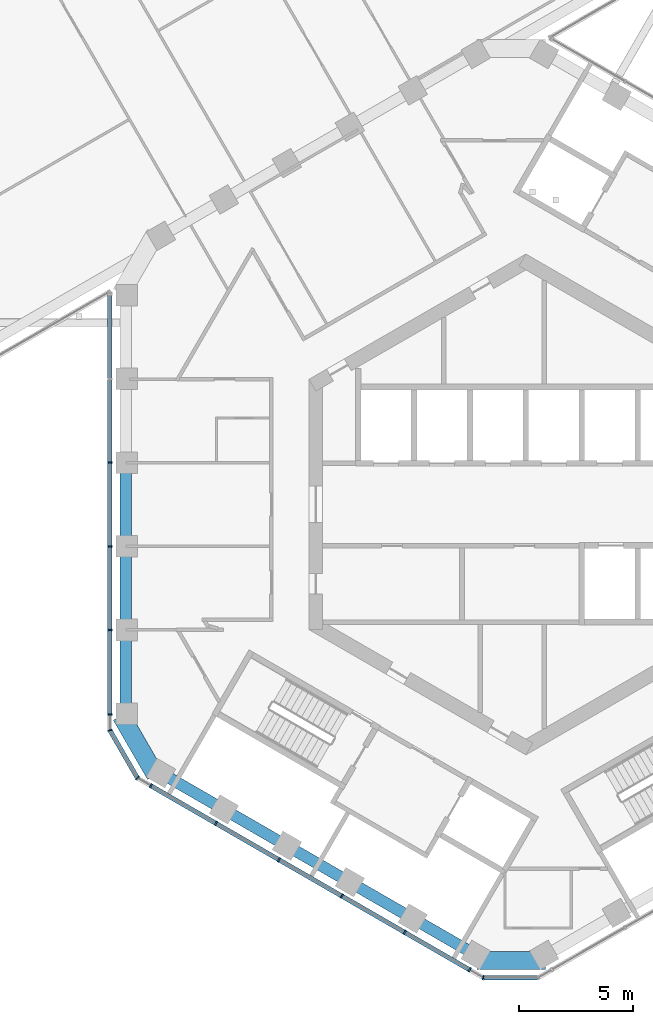
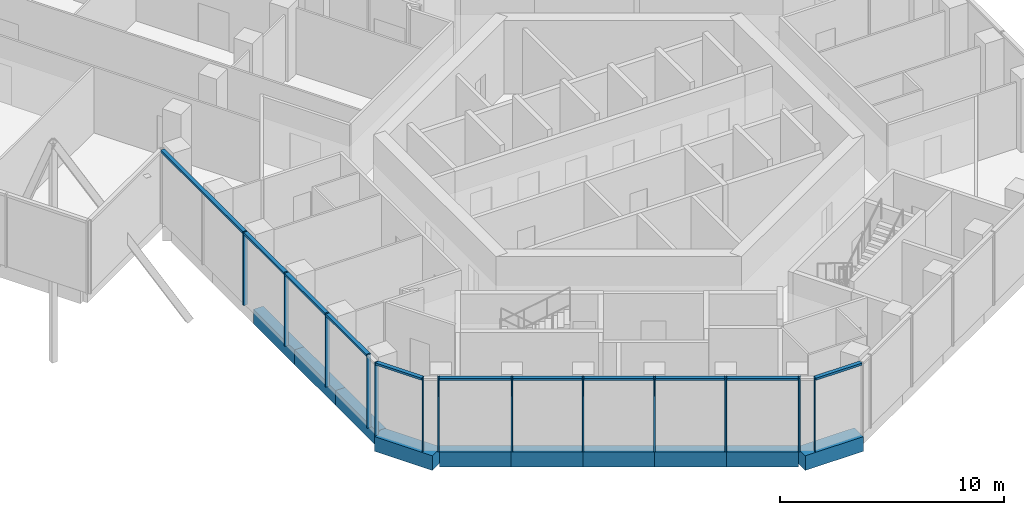
# One storey, part 2 of 21: 17 members, 10 beams, 4 elements without a shape of their own.
"""IFC4 building model written with IfcOpenShell, lengths in metres."""

from ifc_helpers import new_model, si_unit, direction, frame, origin, origin_2d, place, context, subcontext, project, spatial, rectangle, extrude, material, layer, layer_set, material_profile, profile_set, type_object, element, aggregate, save


model = new_model("IFC4")

# Units and contexts
model_context = context("Model", 3, precision=1e-05, world=origin(), true_north=direction((0.0, 1.0)))
body_context = subcontext(model_context, "Body", "Model", "MODEL_VIEW")
ifc_project = project(units=[si_unit("LENGTHUNIT", "METRE"), si_unit("AREAUNIT", "SQUARE_METRE"), si_unit("VOLUMEUNIT", "CUBIC_METRE"), si_unit("PLANEANGLEUNIT", "RADIAN"), si_unit("MASSUNIT", "GRAM", prefix="KILO")], contexts=[model_context])

# Site, building, storey
site_placement = place(None, origin())
site = spatial("IfcSite", under=ifc_project, at=site_placement, CompositionType="ELEMENT")
building_placement = place(site_placement, origin())
building = spatial("IfcBuilding", under=site, at=building_placement, Name="Ayvan Gate Tower", CompositionType="ELEMENT")
storey_placement = place(building_placement, frame((0.0, 0.0, 190.699951171875)))
storey = spatial("IfcBuildingStorey", under=building, at=storey_placement, Name="L51", CompositionType="ELEMENT", Elevation=190.699951171875)

# Beams
ifc_material_1 = material(Name="Concrete C40/50", Category="concrete")
ifc_material_profile_1 = material_profile(ifc_material_1, rectangle(XDim=0.800048828125, YDim=0.800048828125, at=origin_2d()), Name="RC 800x800")
ifc_profile_set_1 = profile_set([ifc_material_profile_1], Name="Concrete C40/50")
beam_type_1 = type_object("IfcBeamType", Name="Corner spandrel beam RC 800x800 C40/50", PredefinedType="BEAM", material=ifc_profile_set_1)
beam_1_placement = place(storey_placement, frame((-17.727783203125, -9.2529296875, -0.800048828125), z_axis=(0.50002537861, -0.866010750942, 0.0), x_axis=(0.866010750942, 0.50002537861, 0.0)))
element("IfcBeam", 1, at=beam_1_placement, inside=storey, type_object=beam_type_1, Name="SB-L51-24", PredefinedType="BEAM", context=body_context, shape_type="SweptSolid", body=[
    extrude(rectangle(XDim=0.800048828125, YDim=0.800048828125, at=origin_2d()), origin(), (0.0, 0.0, 1.0), 2.999755859375),
])
beam_2_placement = place(storey_placement, frame((-2.1494140625, -19.97900390625, -0.800048828125), z_axis=(1.0, 0.0, 0.0), x_axis=(0.0, 1.0, 0.0)))
element("IfcBeam", 2, at=beam_2_placement, inside=storey, type_object=beam_type_1, Name="SB-L51-30", PredefinedType="BEAM", context=body_context, shape_type="SweptSolid", body=[
    extrude(rectangle(XDim=0.800048828125, YDim=0.800048828125, at=origin_2d()), origin(), (0.0, 0.0, 1.0), 3.0),
])
ifc_material_profile_2 = material_profile(ifc_material_1, rectangle(XDim=0.5, YDim=0.800048828125, at=origin_2d()), Name="RC 500x800")
ifc_profile_set_2 = profile_set([ifc_material_profile_2], Name="Concrete C40/50")
beam_type_2 = type_object("IfcBeamType", Name="Spandrel beam RC 500x800 C40/50", PredefinedType="BEAM", material=ifc_profile_set_2)
beam_3_placement = place(storey_placement, frame((-17.537109375, 1.82861328125, -0.800048828125), z_axis=(0.0, -1.0, 0.0), x_axis=(1.0, 0.0, 0.0)))
element("IfcBeam", 3, at=beam_3_placement, inside=storey, type_object=beam_type_2, Name="SB-L51-21", PredefinedType="BEAM", context=body_context, shape_type="SweptSolid", body=[
    extrude(rectangle(XDim=0.5, YDim=0.800048828125, at=origin_2d()), origin(), (0.0, 0.0, 1.0), 3.6572265625),
])
beam_4_placement = place(storey_placement, frame((-17.537109375, -1.82861328125, -0.800048828125), z_axis=(0.0, -1.0, 0.0), x_axis=(1.0, 0.0, 0.0)))
element("IfcBeam", 4, at=beam_4_placement, inside=storey, type_object=beam_type_2, Name="SB-L51-22", PredefinedType="BEAM", context=body_context, shape_type="SweptSolid", body=[
    extrude(rectangle(XDim=0.5, YDim=0.800048828125, at=origin_2d()), origin(), (0.0, 0.0, 1.0), 3.656982421875),
])
beam_5_placement = place(storey_placement, frame((-17.537109375, -5.485595703125, -0.800048828125), z_axis=(0.0, -1.0, 0.0), x_axis=(1.0, 0.0, 0.0)))
element("IfcBeam", 5, at=beam_5_placement, inside=storey, type_object=beam_type_2, Name="SB-L51-23", PredefinedType="BEAM", context=body_context, shape_type="SweptSolid", body=[
    extrude(rectangle(XDim=0.5, YDim=0.800048828125, at=origin_2d()), origin(), (0.0, 0.0, 1.0), 3.6572265625),
])
for number, where, z_axis, x_axis, name in (
    (6, (-16.037109375, -11.740966796875, -0.800048828125), (0.866042346109, -0.499970653885, 0.0), (0.499970653885, 0.866042346109, 0.0), "SB-L51-25"),
    (7, (-13.259521484375, -13.344482421875, -0.800048828125), (0.866009384889, -0.500027744514, 0.0), (0.500027744514, 0.866009384889, 0.0), "SB-L51-26"),
):
    element("IfcBeam", number, at=place(storey_placement, frame(where, z_axis=z_axis, x_axis=x_axis)), inside=storey, type_object=beam_type_2, Name=name, PredefinedType="BEAM", context=body_context, shape_type="SweptSolid", body=[
        extrude(rectangle(XDim=0.5, YDim=0.800048828125, at=origin_2d()), origin(), (0.0, 0.0, 1.0), 3.207275390625),
    ])
beam_6_placement = place(storey_placement, frame((-10.48193359375, -14.9482421875, -0.800048828125), z_axis=(0.866023315909, -0.500003616288, 0.0), x_axis=(0.500003616288, 0.866023315909, 0.0)))
element("IfcBeam", 8, at=beam_6_placement, inside=storey, type_object=beam_type_2, Name="SB-L51-27", PredefinedType="BEAM", context=body_context, shape_type="SweptSolid", body=[
    extrude(rectangle(XDim=0.5, YDim=0.800048828125, at=origin_2d()), origin(), (0.0, 0.0, 1.0), 3.20703125),
])
for number, where, z_axis, x_axis, name in (
    (9, (-7.70458984375, -16.5517578125, -0.800048828125), (0.866009384889, -0.500027744514, 0.0), (0.500027744514, 0.866009384889, 0.0), "SB-L51-28"),
    (10, (-4.927001953125, -18.155517578125, -0.800048828125), (0.866042346109, -0.499970653885, 0.0), (0.499970653885, 0.866042346109, 0.0), "SB-L51-29"),
):
    element("IfcBeam", number, at=place(storey_placement, frame(where, z_axis=z_axis, x_axis=x_axis)), inside=storey, type_object=beam_type_2, Name=name, PredefinedType="BEAM", context=body_context, shape_type="SweptSolid", body=[
        extrude(rectangle(XDim=0.5, YDim=0.800048828125, at=origin_2d()), origin(), (0.0, 0.0, 1.0), 3.207275390625),
    ])

# Curtain wall, members
ifc_material_2 = material(Name="Bronze anodised aluminium", Category="aluminium")
ifc_layer_1 = layer(ifc_material_2, 0.199951171875)
ifc_layer_set_1 = layer_set([ifc_layer_1], Name="Bronze anodised aluminium")
curtain_wall_type_1 = type_object("IfcCurtainWallType", Name="Stick curtain wall CW-2", PredefinedType="NOTDEFINED", material=ifc_layer_set_1)
curtain_wall_1_placement = place(storey_placement, origin())
curtain_wall_1 = element("IfcCurtainWall", 11, at=curtain_wall_1_placement, inside=storey, type_object=curtain_wall_type_1, Name="Stick curtain wall CW-2 L51", PredefinedType="NOTDEFINED")
ifc_material_profile_3 = material_profile(ifc_material_2, rectangle(XDim=0.199951171875, YDim=0.070068359375, at=origin_2d()), Name="Stick curtain wall CW-2 mullion 200 x 70")
ifc_profile_set_3 = profile_set([ifc_material_profile_3], Name="Bronze anodised aluminium")
member_type_1 = type_object("IfcMemberType", Name="Stick curtain wall CW-2 mullion 200 x 70", PredefinedType="MULLION", material=ifc_profile_set_3)
member_1_placement = place(storey_placement, frame((-18.22314453125, 1.833984375, 0.0), z_axis=(0.0, 0.0, 1.0), x_axis=(-1.0, 0.0, 0.0)))
member_1 = element("IfcMember", 12, at=member_1_placement, type_object=member_type_1, Name="CW-2 mullion 3", PredefinedType="MULLION", context=body_context, shape_type="SweptSolid", body=[
    extrude(rectangle(XDim=0.199951171875, YDim=0.070068359375, at=origin_2d()), origin(), (0.0, 0.0, 1.0), 4.0),
])
member_2_placement = place(storey_placement, frame((-18.22314453125, -1.833984375, 0.0), z_axis=(0.0, 0.0, 1.0), x_axis=(-1.0, 0.0, 0.0)))
member_2 = element("IfcMember", 13, at=member_2_placement, type_object=member_type_1, Name="CW-2 mullion 4", PredefinedType="MULLION", context=body_context, shape_type="SweptSolid", body=[
    extrude(rectangle(XDim=0.199951171875, YDim=0.070068359375, at=origin_2d()), origin(), (0.0, 0.0, 1.0), 4.0),
])
member_3_placement = place(storey_placement, frame((-18.22314453125, -5.5029296875, 0.0), z_axis=(0.0, 0.0, 1.0), x_axis=(-1.0, 0.0, 0.0)))
member_3 = element("IfcMember", 14, at=member_3_placement, type_object=member_type_1, Name="CW-2 mullion 5", PredefinedType="MULLION", context=body_context, shape_type="SweptSolid", body=[
    extrude(rectangle(XDim=0.199951171875, YDim=0.070068359375, at=origin_2d()), origin(), (0.0, 0.0, 1.0), 4.0),
])
member_4_placement = place(storey_placement, frame((-18.22314453125, -9.2080078125, 0.0), z_axis=(0.0, 0.0, 1.0), x_axis=(-1.0, 0.0, 0.0)))
member_4 = element("IfcMember", 15, at=member_4_placement, type_object=member_type_1, Name="CW-2 mullion 6", PredefinedType="MULLION", context=body_context, shape_type="SweptSolid", body=[
    extrude(rectangle(XDim=0.199951171875, YDim=0.070068359375, at=origin_2d()), origin(), (0.0, 0.0, 1.0), 4.0),
])

curtain_wall_2_placement = place(storey_placement, origin())
curtain_wall_2 = element("IfcCurtainWall", 16, at=curtain_wall_2_placement, inside=storey, type_object=curtain_wall_type_1, Name="Stick curtain wall CW-2 L51", PredefinedType="NOTDEFINED")
member_5_placement = place(storey_placement, frame((-16.4228515625, -12.32666015625, 0.0), z_axis=(0.0, 0.0, 1.0), x_axis=(-0.5, -0.866025403784, 0.0)))
member_5 = element("IfcMember", 17, at=member_5_placement, type_object=member_type_1, Name="CW-2 mullion 1", PredefinedType="MULLION", context=body_context, shape_type="SweptSolid", body=[
    extrude(rectangle(XDim=0.199951171875, YDim=0.070068359375, at=origin_2d()), origin(), (0.0, 0.0, 1.0), 4.0),
])
member_6_placement = place(storey_placement, frame((-13.58056640625, -13.967529296875, 0.0), z_axis=(0.0, 0.0, 1.0), x_axis=(-0.5, -0.866025403784, 0.0)))
member_6 = element("IfcMember", 18, at=member_6_placement, type_object=member_type_1, Name="CW-2 mullion 2", PredefinedType="MULLION", context=body_context, shape_type="SweptSolid", body=[
    extrude(rectangle(XDim=0.199951171875, YDim=0.070068359375, at=origin_2d()), origin(), (0.0, 0.0, 1.0), 4.0),
])
member_7_placement = place(storey_placement, frame((-10.822265625, -15.56005859375, 0.0), z_axis=(0.0, 0.0, 1.0), x_axis=(-0.5, -0.866025403784, 0.0)))
member_7 = element("IfcMember", 19, at=member_7_placement, type_object=member_type_1, Name="CW-2 mullion 3", PredefinedType="MULLION", context=body_context, shape_type="SweptSolid", body=[
    extrude(rectangle(XDim=0.199951171875, YDim=0.070068359375, at=origin_2d()), origin(), (0.0, 0.0, 1.0), 4.0),
])
member_8_placement = place(storey_placement, frame((-8.06396484375, -17.152587890625, 0.0), z_axis=(0.0, 0.0, 1.0), x_axis=(-0.5, -0.866025403784, 0.0)))
member_8 = element("IfcMember", 20, at=member_8_placement, type_object=member_type_1, Name="CW-2 mullion 4", PredefinedType="MULLION", context=body_context, shape_type="SweptSolid", body=[
    extrude(rectangle(XDim=0.199951171875, YDim=0.070068359375, at=origin_2d()), origin(), (0.0, 0.0, 1.0), 4.0),
])
member_9_placement = place(storey_placement, frame((-5.306396484375, -18.74462890625, 0.0), z_axis=(0.0, 0.0, 1.0), x_axis=(-0.5, -0.866025403784, 0.0)))
member_9 = element("IfcMember", 21, at=member_9_placement, type_object=member_type_1, Name="CW-2 mullion 5", PredefinedType="MULLION", context=body_context, shape_type="SweptSolid", body=[
    extrude(rectangle(XDim=0.199951171875, YDim=0.070068359375, at=origin_2d()), origin(), (0.0, 0.0, 1.0), 4.0),
])
member_10_placement = place(storey_placement, frame((-2.4638671875, -20.3857421875, 0.0), z_axis=(0.0, 0.0, 1.0), x_axis=(-0.5, -0.866025403784, 0.0)))
member_10 = element("IfcMember", 22, at=member_10_placement, type_object=member_type_1, Name="CW-2 mullion 6", PredefinedType="MULLION", context=body_context, shape_type="SweptSolid", body=[
    extrude(rectangle(XDim=0.199951171875, YDim=0.070068359375, at=origin_2d()), origin(), (0.0, 0.0, 1.0), 4.0),
])

# Member
ifc_material_profile_4 = material_profile(ifc_material_2, rectangle(XDim=0.199951171875, YDim=0.1201171875, at=origin_2d()), Name="Stick curtain wall CW-2 transom 200 x 120")
ifc_profile_set_4 = profile_set([ifc_material_profile_4], Name="Bronze anodised aluminium")
member_type_2 = type_object("IfcMemberType", Name="Stick curtain wall CW-2 transom 200 x 120", PredefinedType="USERDEFINED", material=ifc_profile_set_4)
member_11_placement = place(storey_placement, frame((-18.22314453125, 9.2080078125, 3.93994140625), z_axis=(0.0, -1.0, 0.0), x_axis=(1.0, 0.0, 0.0)))
member_11 = element("IfcMember", 23, at=member_11_placement, type_object=member_type_2, Name="CW-2 transom 1", ObjectType="TRANSOM", PredefinedType="USERDEFINED", context=body_context, shape_type="SweptSolid", body=[
    extrude(rectangle(XDim=0.199951171875, YDim=0.1201171875, at=origin_2d()), origin(), (0.0, 0.0, 1.0), 18.416015625),
])

aggregate(curtain_wall_1, [member_1, member_2, member_3, member_4, member_11])

member_12_placement = place(storey_placement, frame((-16.4228515625, -12.32666015625, 3.93994140625), z_axis=(0.866029201203, -0.49999342262, 0.0), x_axis=(0.49999342262, 0.866029201203, 0.0)))
member_12 = element("IfcMember", 24, at=member_12_placement, type_object=member_type_2, Name="CW-2 transom 1", ObjectType="TRANSOM", PredefinedType="USERDEFINED", context=body_context, shape_type="SweptSolid", body=[
    extrude(rectangle(XDim=0.199951171875, YDim=0.1201171875, at=origin_2d()), origin(), (0.0, 0.0, 1.0), 16.118408203125),
])

aggregate(curtain_wall_2, [member_5, member_6, member_7, member_8, member_9, member_10, member_12])

# Curtain wall, members
ifc_layer_2 = layer(ifc_material_2, 0.199951171875)
ifc_layer_set_2 = layer_set([ifc_layer_2], Name="Bronze anodised aluminium")
curtain_wall_type_2 = type_object("IfcCurtainWallType", Name="Stick curtain wall CW-6", PredefinedType="NOTDEFINED", material=ifc_layer_set_2)
curtain_wall_3_placement = place(storey_placement, origin())
curtain_wall_3 = element("IfcCurtainWall", 25, at=curtain_wall_3_placement, inside=storey, type_object=curtain_wall_type_2, Name="Stick curtain wall CW-6 L51", PredefinedType="NOTDEFINED")
ifc_material_profile_5 = material_profile(ifc_material_2, rectangle(XDim=0.199951171875, YDim=0.050048828125, at=origin_2d()), Name="Stick curtain wall CW-6 mullion 200 x 50")
ifc_profile_set_5 = profile_set([ifc_material_profile_5], Name="Bronze anodised aluminium")
member_type_3 = type_object("IfcMemberType", Name="Stick curtain wall CW-6 mullion 200 x 50", PredefinedType="MULLION", material=ifc_profile_set_5)
member_13_placement = place(storey_placement, frame((-18.22314453125, -9.89306640625, 0.0), z_axis=(0.0, 0.0, 1.0), x_axis=(-0.965925826289, -0.258819045103, 0.0)))
member_13 = element("IfcMember", 26, at=member_13_placement, type_object=member_type_3, Name="CW-6 mullion 2", PredefinedType="MULLION", context=body_context, shape_type="SweptSolid", body=[
    extrude(rectangle(XDim=0.199951171875, YDim=0.050048828125, at=origin_2d()), origin(), (0.0, 0.0, 1.0), 4.0),
])
member_14_placement = place(storey_placement, frame((-17.015869140625, -11.984130859375, 0.0), z_axis=(0.0, 0.0, 1.0), x_axis=(-0.707106781187, -0.707106781187, 0.0)))
member_14 = element("IfcMember", 27, at=member_14_placement, type_object=member_type_3, Name="CW-6 mullion 3", PredefinedType="MULLION", context=body_context, shape_type="SweptSolid", body=[
    extrude(rectangle(XDim=0.199951171875, YDim=0.050048828125, at=origin_2d()), origin(), (0.0, 0.0, 1.0), 4.0),
])

# Curtain wall, member
curtain_wall_4_placement = place(storey_placement, origin())
curtain_wall_4 = element("IfcCurtainWall", 28, at=curtain_wall_4_placement, inside=storey, type_object=curtain_wall_type_2, Name="Stick curtain wall CW-6 L51", PredefinedType="NOTDEFINED")
member_15_placement = place(storey_placement, frame((-1.87060546875, -20.728271484375, 0.0), z_axis=(0.0, 0.0, 1.0), x_axis=(-0.258819045103, -0.965925826289, 0.0)))
member_15 = element("IfcMember", 29, at=member_15_placement, type_object=member_type_3, Name="CW-6 mullion 2", PredefinedType="MULLION", context=body_context, shape_type="SweptSolid", body=[
    extrude(rectangle(XDim=0.199951171875, YDim=0.050048828125, at=origin_2d()), origin(), (0.0, 0.0, 1.0), 4.0),
])

# Member
ifc_material_profile_6 = material_profile(ifc_material_2, rectangle(XDim=0.199951171875, YDim=0.1201171875, at=origin_2d()), Name="Stick curtain wall CW-6 transom 200 x 120")
ifc_profile_set_6 = profile_set([ifc_material_profile_6], Name="Bronze anodised aluminium")
member_type_4 = type_object("IfcMemberType", Name="Stick curtain wall CW-6 transom 200 x 120", PredefinedType="USERDEFINED", material=ifc_profile_set_6)
member_16_placement = place(storey_placement, frame((-18.210693359375, -9.914794921875, 3.93994140625), z_axis=(0.49998166818, -0.866035987407, 0.0), x_axis=(0.866035987407, 0.49998166818, 0.0)))
member_16 = element("IfcMember", 30, at=member_16_placement, type_object=member_type_4, Name="CW-6 transom 2", ObjectType="TRANSOM", PredefinedType="USERDEFINED", context=body_context, shape_type="SweptSolid", body=[
    extrude(rectangle(XDim=0.199951171875, YDim=0.1201171875, at=origin_2d()), origin(), (0.0, 0.0, 1.0), 2.3642578125),
])

aggregate(curtain_wall_3, [member_13, member_14, member_16])

member_17_placement = place(storey_placement, frame((-1.845458984375, -20.728271484375, 3.93994140625), z_axis=(1.0, 0.0, 0.0), x_axis=(0.0, 1.0, 0.0)))
member_17 = element("IfcMember", 31, at=member_17_placement, type_object=member_type_4, Name="CW-6 transom 2", ObjectType="TRANSOM", PredefinedType="USERDEFINED", context=body_context, shape_type="SweptSolid", body=[
    extrude(rectangle(XDim=0.199951171875, YDim=0.1201171875, at=origin_2d()), origin(), (0.0, 0.0, 1.0), 2.364501953125),
])

aggregate(curtain_wall_4, [member_15, member_17])

save(model, "model.ifc")
